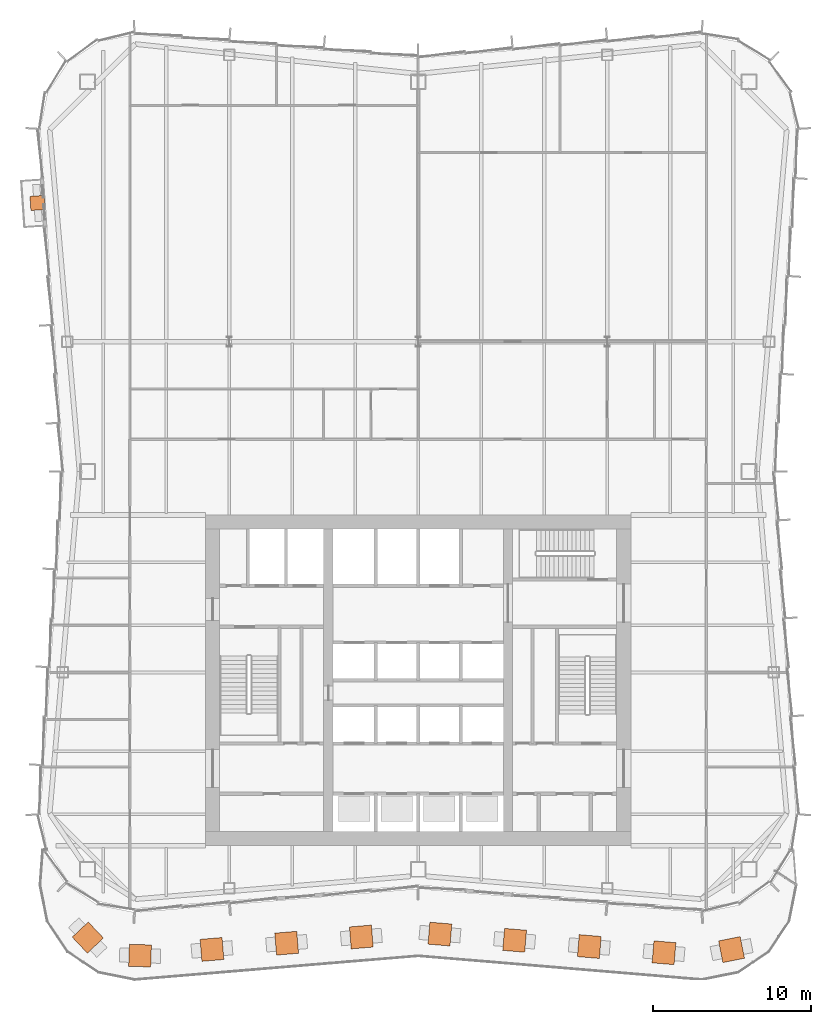
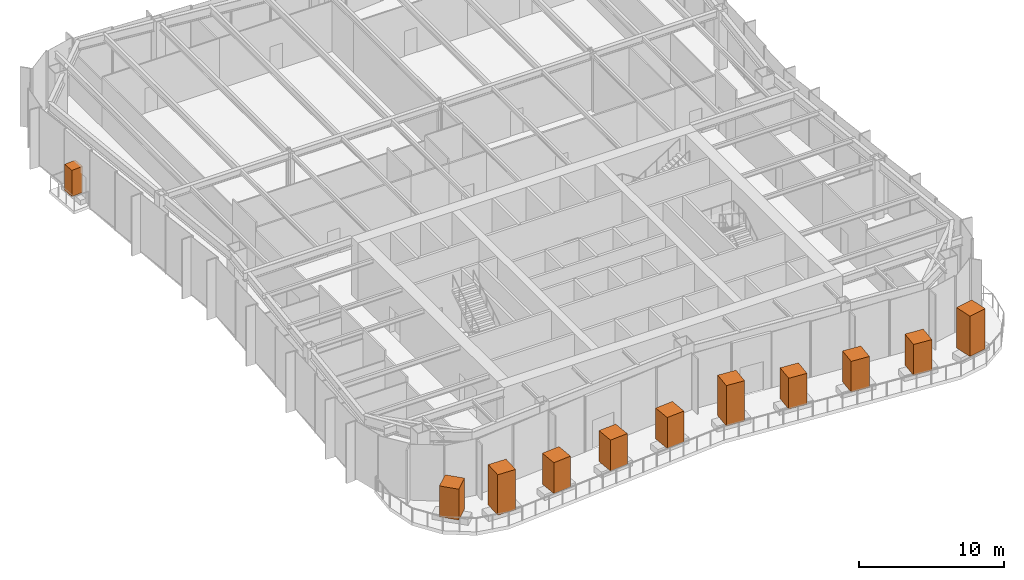
# One storey, part 16 of 16: 11 geographic elements.
"""IFC4 building model written with IfcOpenShell, lengths in metres."""

from ifc_helpers import new_model, si_unit, direction, frame, origin, origin_2d, place, context, subcontext, project, spatial, rectangle, extrude, material, type_object, element, save


model = new_model("IFC4")

# Units and contexts
model_context = context("Model", 3, precision=1e-05, world=origin(), true_north=direction((0.0, 1.0)))
body_context = subcontext(model_context, "Body", "Model", "MODEL_VIEW")
ifc_project = project(units=[si_unit("LENGTHUNIT", "METRE"), si_unit("AREAUNIT", "SQUARE_METRE"), si_unit("VOLUMEUNIT", "CUBIC_METRE"), si_unit("PLANEANGLEUNIT", "RADIAN"), si_unit("MASSUNIT", "GRAM", prefix="KILO")], contexts=[model_context])

# Site, building, storey
site_placement = place(None, origin())
site = spatial("IfcSite", under=ifc_project, at=site_placement, CompositionType="ELEMENT")
building_placement = place(site_placement, origin())
building = spatial("IfcBuilding", under=site, at=building_placement, Name="Verdant Reach Tower", CompositionType="ELEMENT")
storey_placement = place(building_placement, frame((0.0, 0.0, 177.0)))
storey = spatial("IfcBuildingStorey", under=building, at=storey_placement, Name="L40", CompositionType="ELEMENT", Elevation=177.0)

# Geographic elements
ifc_material = material(Name="Planting")
geographic_element_type_1 = type_object("IfcGeographicElementType", Name="EN-TREE", PredefinedType="USERDEFINED", material=ifc_material)
geographic_element_placement = place(storey_placement, frame((-24.17041015625, 58.305419921875, 0.39990234375), z_axis=(0.0, 0.0, 1.0), x_axis=(0.068802091615, -0.997630328423, 0.0)))
element("IfcGeographicElement", 1, at=geographic_element_placement, inside=storey, type_object=geographic_element_type_1, Name="Balcony tree, Queen palm (Syagrus romanzoffiana), L40 1", ObjectType="TREE", PredefinedType="USERDEFINED", context=body_context, shape_type="SweptSolid", body=[
    extrude(rectangle(XDim=0.89990234375, YDim=0.89990234375, at=origin_2d()), origin(), (0.0, 0.0, 1.0), 2.199951171875),
])
for number, where, z_axis, x_axis, name in (
    (2, (15.603271484375, 10.704833984375, 0.5), (0.0, 0.0, 1.0), (-0.996545758244, 0.083045479859, 0.0), "Terrace tree, Yellow trumpet tree (Handroanthus albus), L40 2"),
    (3, (10.862060546875, 11.10009765625, 0.5), (0.0, 0.0, 1.0), (-0.996545758244, 0.083045479859, 0.0), "Terrace tree, Guabiroba (Campomanesia xanthocarpa), L40 3"),
    (4, (6.120849609375, 11.4951171875, 0.5), (0.0, 0.0, 1.0), (-0.996545758244, 0.083045479859, 0.0), "Terrace tree, Surinam cherry (Eugenia uniflora), L40 4"),
    (5, (-3.611083984375, 11.704345703125, 0.5), (0.0, 0.0, 1.0), (-0.996545758244, -0.083045479859, 0.0), "Terrace tree, Yellow trumpet tree (Handroanthus albus), L40 6"),
    (6, (-8.352294921875, 11.30908203125, 0.5), (0.0, 0.0, 1.0), (-0.996545758244, -0.083045479859, 0.0), "Terrace tree, Guabiroba (Campomanesia xanthocarpa), L40 7"),
    (7, (-13.093505859375, 10.9140625, 0.5), (0.0, 0.0, 1.0), (-0.996545758244, -0.083045479859, 0.0), "Terrace tree, Surinam cherry (Eugenia uniflora), L40 8"),
    (8, (-20.97412109375, 11.668701171875, 0.5), (0.0, 0.0, 1.0), (-0.687257266072, 0.726414103821, 0.0), "Terrace tree, Yellow trumpet tree (Handroanthus albus), L40 10"),
):
    element("IfcGeographicElement", number, at=place(storey_placement, frame(where, z_axis=z_axis, x_axis=x_axis)), inside=storey, type_object=geographic_element_type_1, Name=name, ObjectType="TREE", PredefinedType="USERDEFINED", context=body_context, shape_type="SweptSolid", body=[
        extrude(rectangle(XDim=1.39990234375, YDim=1.39990234375, at=origin_2d()), origin(), (0.0, 0.0, 1.0), 2.60009765625),
    ])
geographic_element_type_2 = type_object("IfcGeographicElementType", Name="EN-TREE LARGE", PredefinedType="USERDEFINED", material=ifc_material)
for number, where, z_axis, x_axis, name in (
    (9, (19.892333984375, 10.90576171875, 0.5), (0.0, 0.0, 1.0), (-0.980787134599, -0.195081000112, 0.0), "Terrace tree, Queen palm (Syagrus romanzoffiana), L40 1"),
    (10, (1.37939453125, 11.89013671875, 0.5), (0.0, 0.0, 1.0), (-0.996545758244, 0.083045479859, 0.0), "Terrace tree, Queen palm (Syagrus romanzoffiana), L40 5"),
    (11, (-17.65966796875, 10.523193359375, 0.5), (0.0, 0.0, 1.0), (-0.999432824522, 0.033675351041, 0.0), "Terrace tree, Queen palm (Syagrus romanzoffiana), L40 9"),
):
    element("IfcGeographicElement", number, at=place(storey_placement, frame(where, z_axis=z_axis, x_axis=x_axis)), inside=storey, type_object=geographic_element_type_2, Name=name, ObjectType="TREE", PredefinedType="USERDEFINED", context=body_context, shape_type="SweptSolid", body=[
        extrude(rectangle(XDim=1.39990234375, YDim=1.39990234375, at=origin_2d()), origin(), (0.0, 0.0, 1.0), 3.39990234375),
    ])

save(model, "model.ifc")
